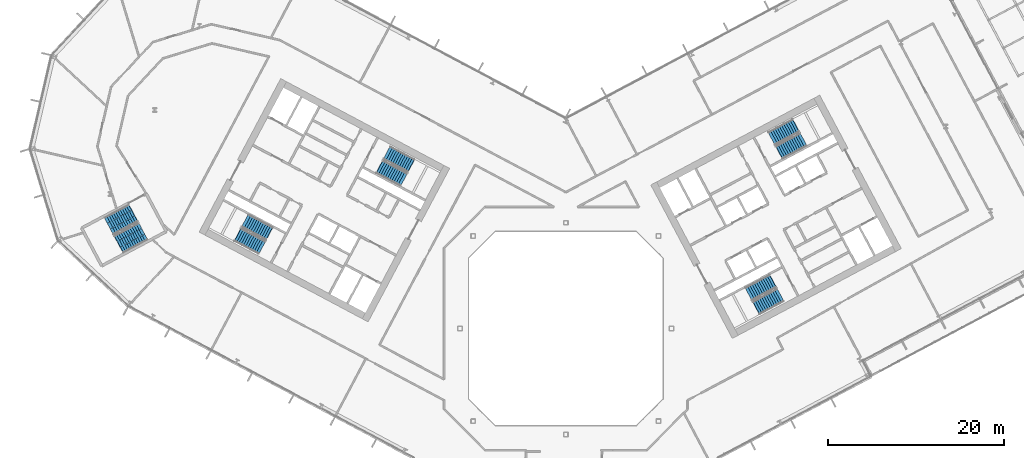
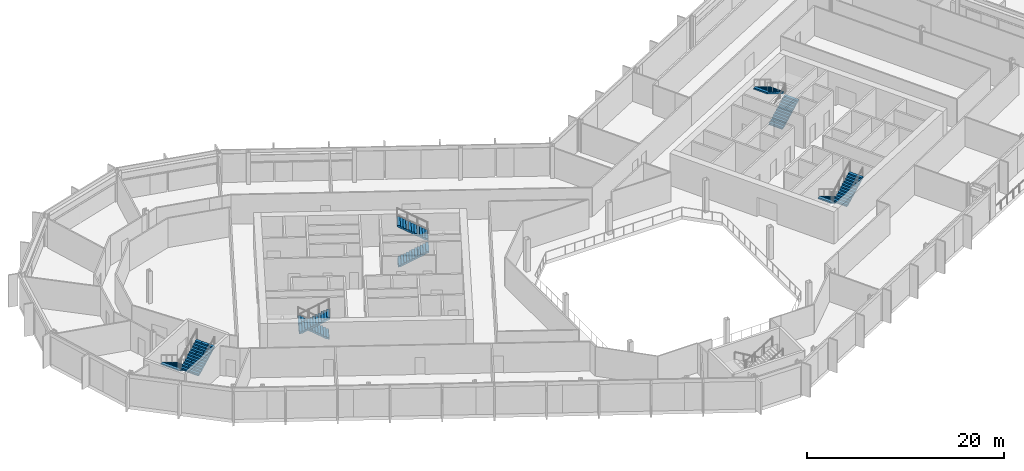
# One storey, part 23 of 34: 10 stair flights, 5 elements without a shape of their own.
"""IFC4 building model written with IfcOpenShell, lengths in metres."""

from ifc_helpers import new_model, si_unit, direction, frame, origin, place, context, subcontext, project, spatial, polyline, outline, extrude, material, type_object, element, aggregate, save


model = new_model("IFC4")

# Units and contexts
model_context = context("Model", 3, precision=1e-05, world=origin(), true_north=direction((0.0, 1.0)))
body_context = subcontext(model_context, "Body", "Model", "MODEL_VIEW")
ifc_project = project(units=[si_unit("LENGTHUNIT", "METRE"), si_unit("AREAUNIT", "SQUARE_METRE"), si_unit("VOLUMEUNIT", "CUBIC_METRE"), si_unit("PLANEANGLEUNIT", "RADIAN"), si_unit("MASSUNIT", "GRAM", prefix="KILO")], contexts=[model_context])

# Site, building, storey
site_placement = place(None, origin())
site = spatial("IfcSite", under=ifc_project, at=site_placement, CompositionType="ELEMENT")
building_placement = place(site_placement, origin())
building = spatial("IfcBuilding", under=site, at=building_placement, Name="Cormorant Relay Tower", CompositionType="ELEMENT")
storey_placement = place(building_placement, frame((0.0, 0.0, 118.199951171875)))
storey = spatial("IfcBuildingStorey", under=building, at=storey_placement, Name="L23", CompositionType="ELEMENT", Elevation=118.199951171875)

# Stair, stair flights
ifc_material_1 = material(Name="Concrete 40 MPa", Category="concrete")
stair_type_1 = type_object("IfcStairType", Name="Exit stair 1500", PredefinedType="HALF_TURN_STAIR", material=ifc_material_1)
stair_1_placement = place(storey_placement, origin())
stair_1 = element("IfcStair", 1, at=stair_1_placement, inside=storey, type_object=stair_type_1, Name="L23 Stair", PredefinedType="HALF_TURN_STAIR")
ifc_material_2 = material(Name="Concrete 40 MPa", Category="concrete")
stair_flight_type_1 = type_object("IfcStairFlightType", Name="Exit stair flight 1650", PredefinedType="STRAIGHT", material=ifc_material_2)
stair_flight_1_placement = place(storey_placement, frame((-21.114501953125, 18.33349609375, 0.0), z_axis=(0.0, 0.0, 1.0), x_axis=(0.882947592859, -0.469471562786, 0.0)))
stair_flight_1 = element("IfcStairFlight", 2, at=stair_flight_1_placement, type_object=stair_flight_type_1, Name="A1 flight 1", NumberOfRisers=12, NumberOfTreads=11, PredefinedType="STRAIGHT", RiserHeight=0.166666667, TreadLength=0.28, context=body_context, shape_type="SweptSolid", body=[
    extrude(outline(polyline([(-0.050048828125, -0.080078125), (-0.050048828125, 0.0), (0.0, 0.0), (0.0, 0.166748046875), (0.280029296875, 0.166748046875), (0.280029296875, 0.333251953125), (0.56005859375, 0.333251953125), (0.56005859375, 0.5), (0.840087890625, 0.5), (0.840087890625, 0.666748046875), (1.1201171875, 0.666748046875), (1.1201171875, 0.833251953125), (1.39990234375, 0.833251953125), (1.39990234375, 1.0), (1.679931640625, 1.0), (1.679931640625, 1.166748046875), (1.9599609375, 1.166748046875), (1.9599609375, 1.333251953125), (2.239990234375, 1.333251953125), (2.239990234375, 1.5), (2.52001953125, 1.5), (2.52001953125, 1.666748046875), (2.800048828125, 1.666748046875), (2.800048828125, 1.833251953125), (3.080078125, 1.833251953125), (3.130126953125, 1.833251953125), (3.130126953125, 1.658935546875), (3.080078125, 1.658935546875), (0.29296875, 0.0), (-0.050048828125, -0.080078125)])), frame((0.0, 0.824951171875, 0.0), z_axis=(0.0, -1.0, 0.0), x_axis=(1.0, 0.0, 0.0)), (0.0, 0.0, 1.0), 1.64990234375),
])
stair_flight_2_placement = place(storey_placement, frame((-17.5498046875, 18.47705078125, 2.0), z_axis=(0.0, 0.0, 1.0), x_axis=(-0.882947592859, 0.469471562786, 0.0)))
stair_flight_2 = element("IfcStairFlight", 3, at=stair_flight_2_placement, type_object=stair_flight_type_1, Name="A1 flight 2", NumberOfRisers=12, NumberOfTreads=11, PredefinedType="STRAIGHT", RiserHeight=0.166666667, TreadLength=0.28, context=body_context, shape_type="SweptSolid", body=[
    extrude(outline(polyline([(-0.050048828125, -0.080078125), (-0.050048828125, 0.0), (0.0, 0.0), (0.0, 0.166748046875), (0.280029296875, 0.166748046875), (0.280029296875, 0.333251953125), (0.56005859375, 0.333251953125), (0.56005859375, 0.5), (0.840087890625, 0.5), (0.840087890625, 0.666748046875), (1.1201171875, 0.666748046875), (1.1201171875, 0.833251953125), (1.39990234375, 0.833251953125), (1.39990234375, 1.0), (1.679931640625, 1.0), (1.679931640625, 1.166748046875), (1.9599609375, 1.166748046875), (1.9599609375, 1.333251953125), (2.239990234375, 1.333251953125), (2.239990234375, 1.5), (2.52001953125, 1.5), (2.52001953125, 1.666748046875), (2.800048828125, 1.666748046875), (2.800048828125, 1.833251953125), (3.080078125, 1.833251953125), (3.130126953125, 1.833251953125), (3.130126953125, 1.658935546875), (3.080078125, 1.658935546875), (0.29296875, 0.0), (-0.050048828125, -0.080078125)])), frame((0.0, 0.824951171875, 0.0), z_axis=(0.0, -1.0, 0.0), x_axis=(1.0, 0.0, 0.0)), (0.0, 0.0, 1.0), 1.64990234375),
])
aggregate(stair_1, [stair_flight_1, stair_flight_2])

stair_2_placement = place(storey_placement, origin())
stair_2 = element("IfcStair", 4, at=stair_2_placement, inside=storey, type_object=stair_type_1, Name="L23 Stair", PredefinedType="HALF_TURN_STAIR")
stair_flight_3_placement = place(storey_placement, frame((-33.62841796875, 10.773681640625, 0.0), z_axis=(0.0, 0.0, 1.0), x_axis=(-0.882947592859, 0.469471562786, 0.0)))
stair_flight_3 = element("IfcStairFlight", 5, at=stair_flight_3_placement, type_object=stair_flight_type_1, Name="A2 flight 1", NumberOfRisers=12, NumberOfTreads=11, PredefinedType="STRAIGHT", RiserHeight=0.166666667, TreadLength=0.28, context=body_context, shape_type="SweptSolid", body=[
    extrude(outline(polyline([(-0.050048828125, -0.080078125), (-0.050048828125, 0.0), (0.0, 0.0), (0.0, 0.166748046875), (0.280029296875, 0.166748046875), (0.280029296875, 0.333251953125), (0.56005859375, 0.333251953125), (0.56005859375, 0.5), (0.840087890625, 0.5), (0.840087890625, 0.666748046875), (1.1201171875, 0.666748046875), (1.1201171875, 0.833251953125), (1.39990234375, 0.833251953125), (1.39990234375, 1.0), (1.679931640625, 1.0), (1.679931640625, 1.166748046875), (1.9599609375, 1.166748046875), (1.9599609375, 1.333251953125), (2.239990234375, 1.333251953125), (2.239990234375, 1.5), (2.52001953125, 1.5), (2.52001953125, 1.666748046875), (2.800048828125, 1.666748046875), (2.800048828125, 1.833251953125), (3.080078125, 1.833251953125), (3.130126953125, 1.833251953125), (3.130126953125, 1.658935546875), (3.080078125, 1.658935546875), (0.29296875, 0.0), (-0.050048828125, -0.080078125)])), frame((0.0, 0.824951171875, 0.0), z_axis=(0.0, -1.0, 0.0), x_axis=(1.0, 0.0, 0.0)), (0.0, 0.0, 1.0), 1.64990234375),
])
stair_flight_4_placement = place(storey_placement, frame((-37.19287109375, 10.63037109375, 2.0), z_axis=(0.0, 0.0, 1.0), x_axis=(0.882947592859, -0.469471562786, 0.0)))
stair_flight_4 = element("IfcStairFlight", 6, at=stair_flight_4_placement, type_object=stair_flight_type_1, Name="A2 flight 2", NumberOfRisers=12, NumberOfTreads=11, PredefinedType="STRAIGHT", RiserHeight=0.166666667, TreadLength=0.28, context=body_context, shape_type="SweptSolid", body=[
    extrude(outline(polyline([(-0.050048828125, -0.080078125), (-0.050048828125, 0.0), (0.0, 0.0), (0.0, 0.166748046875), (0.280029296875, 0.166748046875), (0.280029296875, 0.333251953125), (0.56005859375, 0.333251953125), (0.56005859375, 0.5), (0.840087890625, 0.5), (0.840087890625, 0.666748046875), (1.1201171875, 0.666748046875), (1.1201171875, 0.833251953125), (1.39990234375, 0.833251953125), (1.39990234375, 1.0), (1.679931640625, 1.0), (1.679931640625, 1.166748046875), (1.9599609375, 1.166748046875), (1.9599609375, 1.333251953125), (2.239990234375, 1.333251953125), (2.239990234375, 1.5), (2.52001953125, 1.5), (2.52001953125, 1.666748046875), (2.800048828125, 1.666748046875), (2.800048828125, 1.833251953125), (3.080078125, 1.833251953125), (3.130126953125, 1.833251953125), (3.130126953125, 1.658935546875), (3.080078125, 1.658935546875), (0.29296875, 0.0), (-0.050048828125, -0.080078125)])), frame((0.0, 0.824951171875, 0.0), z_axis=(0.0, -1.0, 0.0), x_axis=(1.0, 0.0, 0.0)), (0.0, 0.0, 1.0), 1.64990234375),
])
aggregate(stair_2, [stair_flight_3, stair_flight_4])

stair_3_placement = place(storey_placement, origin())
stair_3 = element("IfcStair", 7, at=stair_3_placement, inside=storey, type_object=stair_type_1, Name="L23 Stair", PredefinedType="HALF_TURN_STAIR")
stair_flight_5_placement = place(storey_placement, frame((23.474365234375, 5.374755859375, 0.0), z_axis=(0.0, 0.0, 1.0), x_axis=(-0.882947592859, -0.469471562786, 0.0)))
stair_flight_5 = element("IfcStairFlight", 8, at=stair_flight_5_placement, type_object=stair_flight_type_1, Name="B1 flight 1", NumberOfRisers=12, NumberOfTreads=11, PredefinedType="STRAIGHT", RiserHeight=0.166666667, TreadLength=0.28, context=body_context, shape_type="SweptSolid", body=[
    extrude(outline(polyline([(-0.050048828125, -0.080078125), (-0.050048828125, 0.0), (0.0, 0.0), (0.0, 0.166748046875), (0.280029296875, 0.166748046875), (0.280029296875, 0.333251953125), (0.56005859375, 0.333251953125), (0.56005859375, 0.5), (0.840087890625, 0.5), (0.840087890625, 0.666748046875), (1.1201171875, 0.666748046875), (1.1201171875, 0.833251953125), (1.39990234375, 0.833251953125), (1.39990234375, 1.0), (1.679931640625, 1.0), (1.679931640625, 1.166748046875), (1.9599609375, 1.166748046875), (1.9599609375, 1.333251953125), (2.239990234375, 1.333251953125), (2.239990234375, 1.5), (2.52001953125, 1.5), (2.52001953125, 1.666748046875), (2.800048828125, 1.666748046875), (2.800048828125, 1.833251953125), (3.080078125, 1.833251953125), (3.130126953125, 1.833251953125), (3.130126953125, 1.658935546875), (3.080078125, 1.658935546875), (0.29296875, 0.0), (-0.050048828125, -0.080078125)])), frame((0.0, 0.824951171875, 0.0), z_axis=(0.0, -1.0, 0.0), x_axis=(1.0, 0.0, 0.0)), (0.0, 0.0, 1.0), 1.64990234375),
])
stair_flight_6_placement = place(storey_placement, frame((21.60009765625, 2.33935546875, 2.0), z_axis=(0.0, 0.0, 1.0), x_axis=(0.882947592859, 0.469471562786, 0.0)))
stair_flight_6 = element("IfcStairFlight", 9, at=stair_flight_6_placement, type_object=stair_flight_type_1, Name="B1 flight 2", NumberOfRisers=12, NumberOfTreads=11, PredefinedType="STRAIGHT", RiserHeight=0.166666667, TreadLength=0.28, context=body_context, shape_type="SweptSolid", body=[
    extrude(outline(polyline([(-0.050048828125, -0.080078125), (-0.050048828125, 0.0), (0.0, 0.0), (0.0, 0.166748046875), (0.280029296875, 0.166748046875), (0.280029296875, 0.333251953125), (0.56005859375, 0.333251953125), (0.56005859375, 0.5), (0.840087890625, 0.5), (0.840087890625, 0.666748046875), (1.1201171875, 0.666748046875), (1.1201171875, 0.833251953125), (1.39990234375, 0.833251953125), (1.39990234375, 1.0), (1.679931640625, 1.0), (1.679931640625, 1.166748046875), (1.9599609375, 1.166748046875), (1.9599609375, 1.333251953125), (2.239990234375, 1.333251953125), (2.239990234375, 1.5), (2.52001953125, 1.5), (2.52001953125, 1.666748046875), (2.800048828125, 1.666748046875), (2.800048828125, 1.833251953125), (3.080078125, 1.833251953125), (3.130126953125, 1.833251953125), (3.130126953125, 1.658935546875), (3.080078125, 1.658935546875), (0.29296875, 0.0), (-0.050048828125, -0.080078125)])), frame((0.0, 0.824951171875, 0.0), z_axis=(0.0, -1.0, 0.0), x_axis=(1.0, 0.0, 0.0)), (0.0, 0.0, 1.0), 1.64990234375),
])
aggregate(stair_3, [stair_flight_5, stair_flight_6])

stair_4_placement = place(storey_placement, origin())
stair_4 = element("IfcStair", 10, at=stair_4_placement, inside=storey, type_object=stair_type_1, Name="L23 Stair", PredefinedType="HALF_TURN_STAIR")
stair_flight_7_placement = place(storey_placement, frame((24.20458984375, 19.976806640625, 0.0), z_axis=(0.0, 0.0, 1.0), x_axis=(0.882947592859, 0.469471562786, 0.0)))
stair_flight_7 = element("IfcStairFlight", 11, at=stair_flight_7_placement, type_object=stair_flight_type_1, Name="B2 flight 1", NumberOfRisers=12, NumberOfTreads=11, PredefinedType="STRAIGHT", RiserHeight=0.166666667, TreadLength=0.28, context=body_context, shape_type="SweptSolid", body=[
    extrude(outline(polyline([(-0.050048828125, -0.080078125), (-0.050048828125, 0.0), (0.0, 0.0), (0.0, 0.166748046875), (0.280029296875, 0.166748046875), (0.280029296875, 0.333251953125), (0.56005859375, 0.333251953125), (0.56005859375, 0.5), (0.840087890625, 0.5), (0.840087890625, 0.666748046875), (1.1201171875, 0.666748046875), (1.1201171875, 0.833251953125), (1.39990234375, 0.833251953125), (1.39990234375, 1.0), (1.679931640625, 1.0), (1.679931640625, 1.166748046875), (1.9599609375, 1.166748046875), (1.9599609375, 1.333251953125), (2.239990234375, 1.333251953125), (2.239990234375, 1.5), (2.52001953125, 1.5), (2.52001953125, 1.666748046875), (2.800048828125, 1.666748046875), (2.800048828125, 1.833251953125), (3.080078125, 1.833251953125), (3.130126953125, 1.833251953125), (3.130126953125, 1.658935546875), (3.080078125, 1.658935546875), (0.29296875, 0.0), (-0.050048828125, -0.080078125)])), frame((0.0, 0.824951171875, 0.0), z_axis=(0.0, -1.0, 0.0), x_axis=(1.0, 0.0, 0.0)), (0.0, 0.0, 1.0), 1.64990234375),
])
stair_flight_8_placement = place(storey_placement, frame((26.0791015625, 23.011962890625, 2.0), z_axis=(0.0, 0.0, 1.0), x_axis=(-0.882947592859, -0.469471562786, 0.0)))
stair_flight_8 = element("IfcStairFlight", 12, at=stair_flight_8_placement, type_object=stair_flight_type_1, Name="B2 flight 2", NumberOfRisers=12, NumberOfTreads=11, PredefinedType="STRAIGHT", RiserHeight=0.166666667, TreadLength=0.28, context=body_context, shape_type="SweptSolid", body=[
    extrude(outline(polyline([(-0.050048828125, -0.080078125), (-0.050048828125, 0.0), (0.0, 0.0), (0.0, 0.166748046875), (0.280029296875, 0.166748046875), (0.280029296875, 0.333251953125), (0.56005859375, 0.333251953125), (0.56005859375, 0.5), (0.840087890625, 0.5), (0.840087890625, 0.666748046875), (1.1201171875, 0.666748046875), (1.1201171875, 0.833251953125), (1.39990234375, 0.833251953125), (1.39990234375, 1.0), (1.679931640625, 1.0), (1.679931640625, 1.166748046875), (1.9599609375, 1.166748046875), (1.9599609375, 1.333251953125), (2.239990234375, 1.333251953125), (2.239990234375, 1.5), (2.52001953125, 1.5), (2.52001953125, 1.666748046875), (2.800048828125, 1.666748046875), (2.800048828125, 1.833251953125), (3.080078125, 1.833251953125), (3.130126953125, 1.833251953125), (3.130126953125, 1.658935546875), (3.080078125, 1.658935546875), (0.29296875, 0.0), (-0.050048828125, -0.080078125)])), frame((0.0, 0.824951171875, 0.0), z_axis=(0.0, -1.0, 0.0), x_axis=(1.0, 0.0, 0.0)), (0.0, 0.0, 1.0), 1.64990234375),
])
aggregate(stair_4, [stair_flight_7, stair_flight_8])

ifc_material_3 = material(Name="Concrete 40 MPa", Category="concrete")
stair_type_2 = type_object("IfcStairType", Name="Remote exit stair 2200", PredefinedType="HALF_TURN_STAIR", material=ifc_material_3)
stair_5_placement = place(storey_placement, origin())
stair_5 = element("IfcStair", 13, at=stair_5_placement, inside=storey, type_object=stair_type_2, Name="L23 Stair", PredefinedType="HALF_TURN_STAIR")
ifc_material_4 = material(Name="Concrete 40 MPa", Category="concrete")
stair_flight_type_2 = type_object("IfcStairFlightType", Name="Remote exit stair flight 2200", PredefinedType="STRAIGHT", material=ifc_material_4)
stair_flight_9_placement = place(storey_placement, frame((-49.062255859375, 13.08251953125, 0.0), z_axis=(0.0, 0.0, 1.0), x_axis=(-0.882947502727, -0.4694717323, 0.0)))
stair_flight_9 = element("IfcStairFlight", 14, at=stair_flight_9_placement, type_object=stair_flight_type_2, Name="RP1 flight 1", NumberOfRisers=12, NumberOfTreads=11, PredefinedType="STRAIGHT", RiserHeight=0.166666667, TreadLength=0.28, context=body_context, shape_type="SweptSolid", body=[
    extrude(outline(polyline([(-0.050048828125, -0.080078125), (-0.050048828125, 0.0), (0.0, 0.0), (0.0, 0.166748046875), (0.280029296875, 0.166748046875), (0.280029296875, 0.333251953125), (0.56005859375, 0.333251953125), (0.56005859375, 0.5), (0.840087890625, 0.5), (0.840087890625, 0.666748046875), (1.1201171875, 0.666748046875), (1.1201171875, 0.833251953125), (1.39990234375, 0.833251953125), (1.39990234375, 1.0), (1.679931640625, 1.0), (1.679931640625, 1.166748046875), (1.9599609375, 1.166748046875), (1.9599609375, 1.333251953125), (2.239990234375, 1.333251953125), (2.239990234375, 1.5), (2.52001953125, 1.5), (2.52001953125, 1.666748046875), (2.800048828125, 1.666748046875), (2.800048828125, 1.833251953125), (3.080078125, 1.833251953125), (3.130126953125, 1.833251953125), (3.130126953125, 1.658935546875), (3.080078125, 1.658935546875), (0.29296875, 0.0), (-0.050048828125, -0.080078125)])), frame((0.0, 1.10009765625, 0.0), z_axis=(0.0, -1.0, 0.0), x_axis=(1.0, 0.0, 0.0)), (0.0, 0.0, 1.0), 0.719970703125),
    extrude(outline(polyline([(-0.050048828125, -0.080078125), (-0.050048828125, 0.0), (0.0, 0.0), (0.0, 0.166748046875), (0.280029296875, 0.166748046875), (0.280029296875, 0.333251953125), (0.56005859375, 0.333251953125), (0.56005859375, 0.5), (0.840087890625, 0.5), (0.840087890625, 0.666748046875), (1.1201171875, 0.666748046875), (1.1201171875, 0.833251953125), (1.39990234375, 0.833251953125), (1.39990234375, 1.0), (1.679931640625, 1.0), (1.679931640625, 1.166748046875), (1.9599609375, 1.166748046875), (1.9599609375, 1.333251953125), (2.239990234375, 1.333251953125), (2.239990234375, 1.5), (2.52001953125, 1.5), (2.52001953125, 1.666748046875), (2.800048828125, 1.666748046875), (2.800048828125, 1.833251953125), (3.080078125, 1.833251953125), (3.130126953125, 1.833251953125), (3.130126953125, 1.658935546875), (3.080078125, 1.658935546875), (0.29296875, 0.0), (-0.050048828125, -0.080078125)])), frame((0.0, 0.360107421875, 0.0), z_axis=(0.0, -1.0, 0.0), x_axis=(1.0, 0.0, 0.0)), (0.0, 0.0, 1.0), 0.719970703125),
    extrude(outline(polyline([(-0.050048828125, -0.080078125), (-0.050048828125, 0.0), (0.0, 0.0), (0.0, 0.166748046875), (0.280029296875, 0.166748046875), (0.280029296875, 0.333251953125), (0.56005859375, 0.333251953125), (0.56005859375, 0.5), (0.840087890625, 0.5), (0.840087890625, 0.666748046875), (1.1201171875, 0.666748046875), (1.1201171875, 0.833251953125), (1.39990234375, 0.833251953125), (1.39990234375, 1.0), (1.679931640625, 1.0), (1.679931640625, 1.166748046875), (1.9599609375, 1.166748046875), (1.9599609375, 1.333251953125), (2.239990234375, 1.333251953125), (2.239990234375, 1.5), (2.52001953125, 1.5), (2.52001953125, 1.666748046875), (2.800048828125, 1.666748046875), (2.800048828125, 1.833251953125), (3.080078125, 1.833251953125), (3.130126953125, 1.833251953125), (3.130126953125, 1.658935546875), (3.080078125, 1.658935546875), (0.29296875, 0.0), (-0.050048828125, -0.080078125)])), frame((0.0, -0.3798828125, 0.0), z_axis=(0.0, -1.0, 0.0), x_axis=(1.0, 0.0, 0.0)), (0.0, 0.0, 1.0), 0.719970703125),
])
stair_flight_10_placement = place(storey_placement, frame((-50.678466796875, 9.5615234375, 2.0), z_axis=(0.0, 0.0, 1.0), x_axis=(0.882947502727, 0.4694717323, 0.0)))
stair_flight_10 = element("IfcStairFlight", 15, at=stair_flight_10_placement, type_object=stair_flight_type_2, Name="RP1 flight 2", NumberOfRisers=12, NumberOfTreads=11, PredefinedType="STRAIGHT", RiserHeight=0.166666667, TreadLength=0.28, context=body_context, shape_type="SweptSolid", body=[
    extrude(outline(polyline([(-0.050048828125, -0.080078125), (-0.050048828125, 0.0), (0.0, 0.0), (0.0, 0.166748046875), (0.280029296875, 0.166748046875), (0.280029296875, 0.333251953125), (0.56005859375, 0.333251953125), (0.56005859375, 0.5), (0.840087890625, 0.5), (0.840087890625, 0.666748046875), (1.1201171875, 0.666748046875), (1.1201171875, 0.833251953125), (1.39990234375, 0.833251953125), (1.39990234375, 1.0), (1.679931640625, 1.0), (1.679931640625, 1.166748046875), (1.9599609375, 1.166748046875), (1.9599609375, 1.333251953125), (2.239990234375, 1.333251953125), (2.239990234375, 1.5), (2.52001953125, 1.5), (2.52001953125, 1.666748046875), (2.800048828125, 1.666748046875), (2.800048828125, 1.833251953125), (3.080078125, 1.833251953125), (3.130126953125, 1.833251953125), (3.130126953125, 1.658935546875), (3.080078125, 1.658935546875), (0.29296875, 0.0), (-0.050048828125, -0.080078125)])), frame((0.0, 1.10009765625, 0.0), z_axis=(0.0, -1.0, 0.0), x_axis=(1.0, 0.0, 0.0)), (0.0, 0.0, 1.0), 0.719970703125),
    extrude(outline(polyline([(-0.050048828125, -0.080078125), (-0.050048828125, 0.0), (0.0, 0.0), (0.0, 0.166748046875), (0.280029296875, 0.166748046875), (0.280029296875, 0.333251953125), (0.56005859375, 0.333251953125), (0.56005859375, 0.5), (0.840087890625, 0.5), (0.840087890625, 0.666748046875), (1.1201171875, 0.666748046875), (1.1201171875, 0.833251953125), (1.39990234375, 0.833251953125), (1.39990234375, 1.0), (1.679931640625, 1.0), (1.679931640625, 1.166748046875), (1.9599609375, 1.166748046875), (1.9599609375, 1.333251953125), (2.239990234375, 1.333251953125), (2.239990234375, 1.5), (2.52001953125, 1.5), (2.52001953125, 1.666748046875), (2.800048828125, 1.666748046875), (2.800048828125, 1.833251953125), (3.080078125, 1.833251953125), (3.130126953125, 1.833251953125), (3.130126953125, 1.658935546875), (3.080078125, 1.658935546875), (0.29296875, 0.0), (-0.050048828125, -0.080078125)])), frame((0.0, 0.360107421875, 0.0), z_axis=(0.0, -1.0, 0.0), x_axis=(1.0, 0.0, 0.0)), (0.0, 0.0, 1.0), 0.719970703125),
    extrude(outline(polyline([(-0.050048828125, -0.080078125), (-0.050048828125, 0.0), (0.0, 0.0), (0.0, 0.166748046875), (0.280029296875, 0.166748046875), (0.280029296875, 0.333251953125), (0.56005859375, 0.333251953125), (0.56005859375, 0.5), (0.840087890625, 0.5), (0.840087890625, 0.666748046875), (1.1201171875, 0.666748046875), (1.1201171875, 0.833251953125), (1.39990234375, 0.833251953125), (1.39990234375, 1.0), (1.679931640625, 1.0), (1.679931640625, 1.166748046875), (1.9599609375, 1.166748046875), (1.9599609375, 1.333251953125), (2.239990234375, 1.333251953125), (2.239990234375, 1.5), (2.52001953125, 1.5), (2.52001953125, 1.666748046875), (2.800048828125, 1.666748046875), (2.800048828125, 1.833251953125), (3.080078125, 1.833251953125), (3.130126953125, 1.833251953125), (3.130126953125, 1.658935546875), (3.080078125, 1.658935546875), (0.29296875, 0.0), (-0.050048828125, -0.080078125)])), frame((0.0, -0.3798828125, 0.0), z_axis=(0.0, -1.0, 0.0), x_axis=(1.0, 0.0, 0.0)), (0.0, 0.0, 1.0), 0.719970703125),
])
aggregate(stair_5, [stair_flight_9, stair_flight_10])

save(model, "model.ifc")
